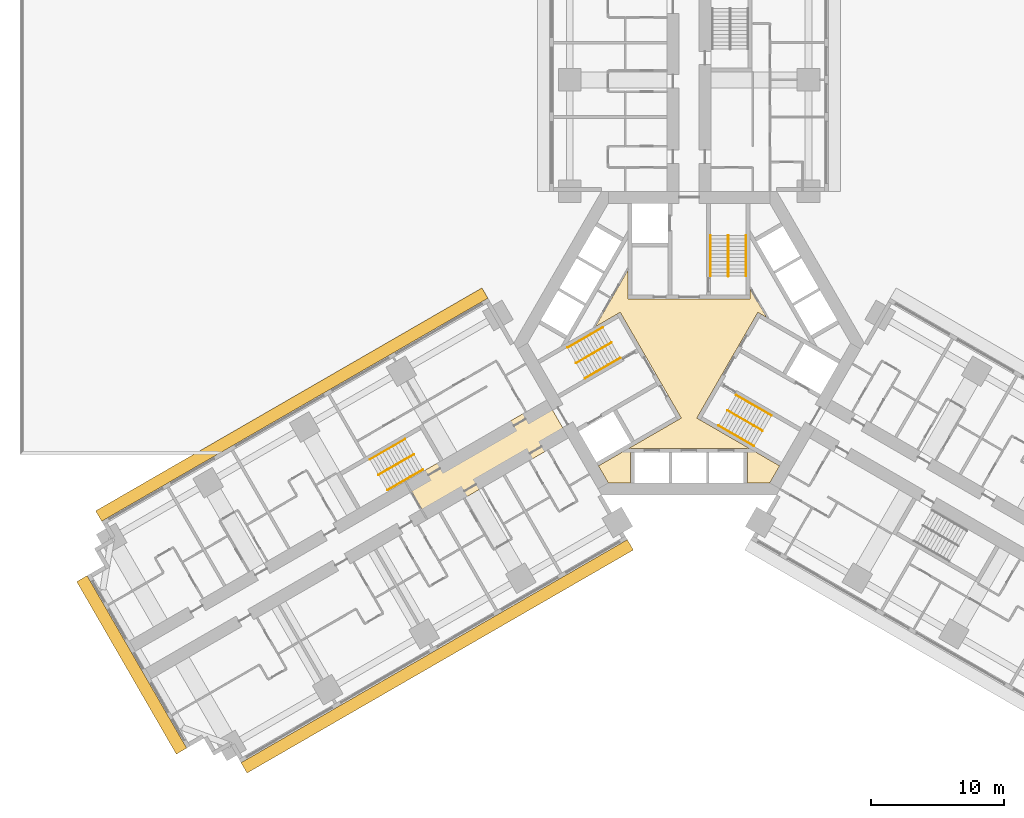
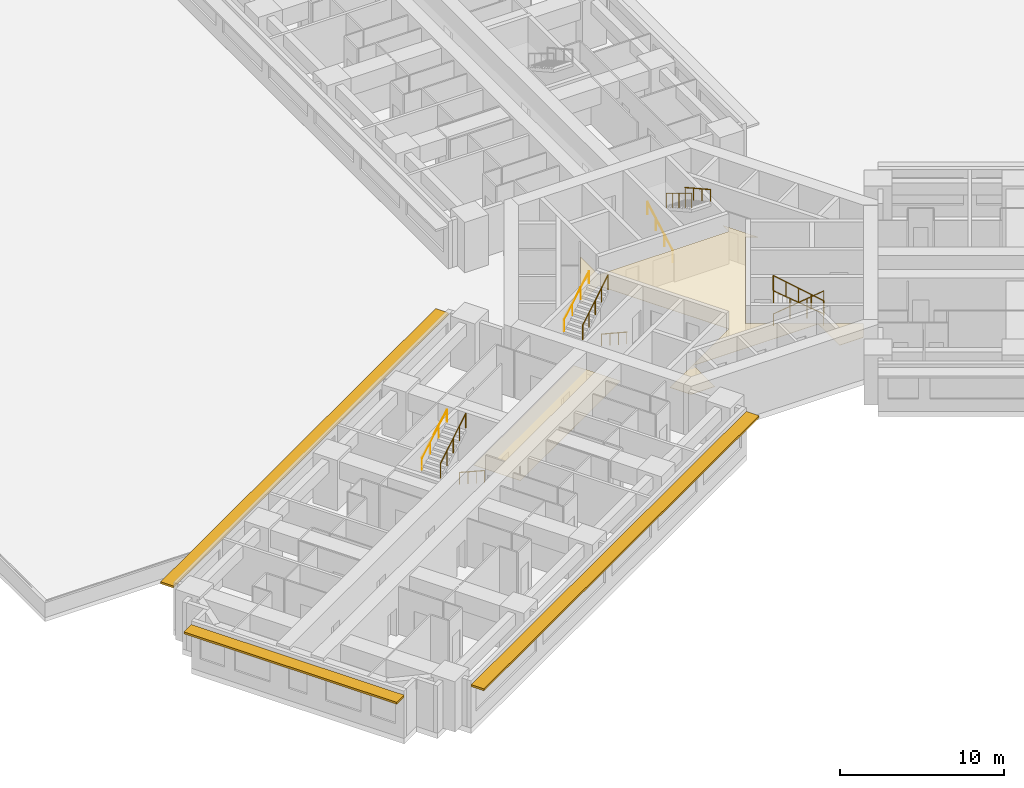
# One storey, part 16 of 18: 12 railings, 2 coverings, 1 shading device.
"""IFC4 building model written with IfcOpenShell, lengths in metres."""

from ifc_helpers import new_model, si_unit, direction, frame, origin, origin_2d, place, context, subcontext, project, spatial, polyline, rectangle, circle, outline, extrude, material, layer, layer_set, type_object, element, save


model = new_model("IFC4")

# Units and contexts
model_context = context("Model", 3, precision=1e-05, world=origin(), true_north=direction((0.0, 1.0)))
body_context = subcontext(model_context, "Body", "Model", "MODEL_VIEW")
ifc_project = project(units=[si_unit("LENGTHUNIT", "METRE"), si_unit("AREAUNIT", "SQUARE_METRE"), si_unit("VOLUMEUNIT", "CUBIC_METRE"), si_unit("PLANEANGLEUNIT", "RADIAN"), si_unit("MASSUNIT", "GRAM", prefix="KILO")], contexts=[model_context])

# Site, building, storey
site_placement = place(None, origin())
site = spatial("IfcSite", under=ifc_project, at=site_placement, CompositionType="ELEMENT")
building_placement = place(site_placement, origin())
building = spatial("IfcBuilding", under=site, at=building_placement, Name="Impinga Residences", CompositionType="ELEMENT")
storey_placement = place(building_placement, frame((0.0, 0.0, 26.0)))
storey = spatial("IfcBuildingStorey", under=building, at=storey_placement, Name="L05", CompositionType="ELEMENT", Elevation=26.0)

# Coverings
ifc_material_1 = material(Name="Plasterboard 15 mm on steel hangers", Category="steel")
ifc_layer_1 = layer(ifc_material_1, 0.014892578125)
ifc_layer_set_1 = layer_set([ifc_layer_1], Name="Plasterboard 15 mm on steel hangers")
covering_type_1 = type_object("IfcCoveringType", Name="CL1 corridor ceiling, 15 mm plasterboard on hangers", PredefinedType="CEILING", material=ifc_layer_set_1)
covering_1_placement = place(storey_placement, frame((0.0, 0.0, 2.39990234375)))
element("IfcCovering", 1, at=covering_1_placement, inside=storey, type_object=covering_type_1, Name="Corridor ceiling CL1 L05-W00", PredefinedType="CEILING", context=body_context, shape_type="SweptSolid", body=[
    extrude(outline(polyline([(-10.72509765625, -4.286865234375), (-9.074951171875, -7.144775390625), (-19.684326171875, -13.27001953125), (-21.334228515625, -10.412109375), (-10.72509765625, -4.286865234375)])), origin(), (0.0, 0.0, 1.0), 0.01513671875),
])
ifc_material_2 = material(Name="Mineral fibre tiles 20 mm on exposed grid", Category="mineral fibre")
ifc_layer_2 = layer(ifc_material_2, 0.02001953125)
ifc_layer_set_2 = layer_set([ifc_layer_2], Name="CL2 lift lobby ceiling, 20 mm mineral fibre tiles")
covering_type_2 = type_object("IfcCoveringType", Name="CL2 lift lobby ceiling, 20 mm mineral fibre tiles", PredefinedType="CEILING", material=ifc_layer_set_2)
covering_2_placement = place(storey_placement, frame((0.0, 0.0, 2.39990234375)))
element("IfcCovering", 2, at=covering_2_placement, inside=storey, type_object=covering_type_2, Name="Lift lobby ceiling CL2 L05-C01", PredefinedType="CEILING", context=body_context, shape_type="SweptSolid", body=[
    extrude(outline(polyline([(6.080322265625, -10.531494140625), (4.39990234375, -10.531494140625), (4.39990234375, -7.931640625), (-4.39990234375, -7.931640625), (-4.39990234375, -10.531494140625), (-6.080322265625, -10.531494140625), (-6.820556640625, -9.24951171875), (-0.583984375, -5.648681640625), (-5.183837890625, 2.318603515625), (-7.059326171875, 1.23583984375), (-4.60009765625, 5.49560546875), (-4.60009765625, 3.330078125), (4.60009765625, 3.330078125), (4.60009765625, 4.095703125), (5.846923828125, 1.935791015625), (5.183837890625, 2.318603515625), (0.583984375, -5.648681640625), (6.820556640625, -9.24951171875), (6.080322265625, -10.531494140625)])), origin(), (0.0, 0.0, 1.0), 0.02001953125),
])

# Railings
ifc_material_3 = material(Name="Steel guard, powder coated", Category="steel")
railing_type_1 = type_object("IfcRailingType", Name="GR1 stair guard 1100", PredefinedType="GUARDRAIL", material=ifc_material_3)
railing_1_placement = place(storey_placement, frame((2.949951171875, 8.110107421875, 1.875)))
element("IfcRailing", 3, at=railing_1_placement, inside=storey, type_object=railing_type_1, Name="Stair guard GR1 ST1 L05", PredefinedType="GUARDRAIL", context=body_context, shape_type="SweptSolid", body=[
    extrude(circle(Radius=0.02392578125, at=origin_2d()), frame((0.0, 0.0, 1.076171875), z_axis=(0.0, -0.854177636135, 0.519981313056), x_axis=(1.0, 0.0, 0.0)), (0.0, 0.0, 1.0), 3.60595703125),
    extrude(circle(Radius=0.02099609375, at=origin_2d()), origin(), (0.0, 0.0, 1.0), 1.052001953125),
    extrude(circle(Radius=0.02099609375, at=origin_2d()), frame((0.0, -0.77001953125, 0.46875)), (0.0, 0.0, 1.0), 1.052001953125),
    extrude(circle(Radius=0.02099609375, at=origin_2d()), frame((0.0, -1.5400390625, 0.9375)), (0.0, 0.0, 1.0), 1.052001953125),
    extrude(circle(Radius=0.02099609375, at=origin_2d()), frame((0.0, -2.31005859375, 1.40625)), (0.0, 0.0, 1.0), 1.052001953125),
    extrude(circle(Radius=0.02099609375, at=origin_2d()), frame((0.0, -3.080078125, 1.875)), (0.0, 0.0, 1.0), 1.052001953125),
])
railing_2_placement = place(storey_placement, frame((-8.49853515625, -1.500244140625, 1.875)))
element("IfcRailing", 4, at=railing_2_placement, inside=storey, type_object=railing_type_1, Name="Stair guard GR1 ST2 L05", PredefinedType="GUARDRAIL", context=body_context, shape_type="SweptSolid", body=[
    extrude(circle(Radius=0.02392578125, at=origin_2d()), frame((0.0, 0.0, 1.076171875), z_axis=(0.739746383972, 0.427084037168, 0.519975492303), x_axis=(-0.499992328818, 0.866029832698, 0.0)), (0.0, 0.0, 1.0), 3.60595703125),
    extrude(circle(Radius=0.02099609375, at=origin_2d()), origin(), (0.0, 0.0, 1.0), 1.052001953125),
    extrude(circle(Radius=0.02099609375, at=origin_2d()), frame((0.6669921875, 0.385009765625, 0.46875)), (0.0, 0.0, 1.0), 1.052001953125),
    extrude(circle(Radius=0.02099609375, at=origin_2d()), frame((1.333740234375, 0.77001953125, 0.9375)), (0.0, 0.0, 1.0), 1.052001953125),
    extrude(circle(Radius=0.02099609375, at=origin_2d()), frame((2.00048828125, 1.155029296875, 1.40625)), (0.0, 0.0, 1.0), 1.052001953125),
    extrude(circle(Radius=0.02099609375, at=origin_2d()), frame((2.66748046875, 1.5400390625, 1.875)), (0.0, 0.0, 1.0), 1.052001953125),
])
railing_3_placement = place(storey_placement, frame((5.548583984375, -6.60986328125, 1.875)))
element("IfcRailing", 5, at=railing_3_placement, inside=storey, type_object=railing_type_1, Name="Stair guard GR1 ST3 L05", PredefinedType="GUARDRAIL", context=body_context, shape_type="SweptSolid", body=[
    extrude(circle(Radius=0.02392578125, at=origin_2d()), frame((0.0, 0.0, 1.076171875), z_axis=(-0.739746383972, 0.427084037168, 0.519975492303), x_axis=(-0.499992328818, -0.866029832698, 0.0)), (0.0, 0.0, 1.0), 3.60595703125),
    extrude(circle(Radius=0.02099609375, at=origin_2d()), origin(), (0.0, 0.0, 1.0), 1.052001953125),
    extrude(circle(Radius=0.02099609375, at=origin_2d()), frame((-0.6669921875, 0.385009765625, 0.46875)), (0.0, 0.0, 1.0), 1.052001953125),
    extrude(circle(Radius=0.02099609375, at=origin_2d()), frame((-1.333740234375, 0.77001953125, 0.9375)), (0.0, 0.0, 1.0), 1.052001953125),
    extrude(circle(Radius=0.02099609375, at=origin_2d()), frame((-2.00048828125, 1.155029296875, 1.40625)), (0.0, 0.0, 1.0), 1.052001953125),
    extrude(circle(Radius=0.02099609375, at=origin_2d()), frame((-2.66748046875, 1.5400390625, 1.875)), (0.0, 0.0, 1.0), 1.052001953125),
])
railing_4_placement = place(storey_placement, frame((-23.3837890625, -9.921142578125, 1.875)))
element("IfcRailing", 6, at=railing_4_placement, inside=storey, type_object=railing_type_1, Name="Stair guard GR1 WS2 L05", PredefinedType="GUARDRAIL", context=body_context, shape_type="SweptSolid", body=[
    extrude(circle(Radius=0.02392578125, at=origin_2d()), frame((0.0, 0.0, 1.076171875), z_axis=(0.739715726454, 0.427105428144, 0.52000153585), x_axis=(-0.500026652407, 0.866010015463, 0.0)), (0.0, 0.0, 1.0), 3.605712890625),
    extrude(circle(Radius=0.02099609375, at=origin_2d()), origin(), (0.0, 0.0, 1.0), 1.052001953125),
    extrude(circle(Radius=0.02099609375, at=origin_2d()), frame((0.666748046875, 0.385009765625, 0.46875)), (0.0, 0.0, 1.0), 1.052001953125),
    extrude(circle(Radius=0.02099609375, at=origin_2d()), frame((1.33349609375, 0.77001953125, 0.9375)), (0.0, 0.0, 1.0), 1.052001953125),
    extrude(circle(Radius=0.02099609375, at=origin_2d()), frame((2.00048828125, 1.155029296875, 1.40625)), (0.0, 0.0, 1.0), 1.052001953125),
    extrude(circle(Radius=0.02099609375, at=origin_2d()), frame((2.667236328125, 1.5400390625, 1.875)), (0.0, 0.0, 1.0), 1.052001953125),
])
ifc_material_4 = material(Name="Steel handrail tube 42 mm, powder coated", Category="steel")
railing_type_2 = type_object("IfcRailingType", Name="HR1 stair handrail, 42 mm steel tube, 900 above the pitch line", PredefinedType="HANDRAIL", material=ifc_material_4)
railing_5_placement = place(storey_placement, frame((1.62109375, 5.030029296875, 0.15625)))
element("IfcRailing", 7, at=railing_5_placement, inside=storey, type_object=railing_type_2, Name="Stair handrail HR1 ST1 L05", PredefinedType="HANDRAIL", context=body_context, shape_type="SweptSolid", body=[
    extrude(circle(Radius=0.02099609375, at=origin_2d()), frame((0.0, 0.0, 0.87890625), z_axis=(0.0, 0.873241540666, 0.487287606713), x_axis=(-1.0, 0.0, 0.0)), (0.0, 0.0, 1.0), 3.527099609375),
    extrude(circle(Radius=0.012451171875, at=origin_2d()), origin(), (0.0, 0.0, 1.0), 0.85791015625),
    extrude(circle(Radius=0.012451171875, at=origin_2d()), frame((0.0, 1.026611328125, 0.572998046875)), (0.0, 0.0, 1.0), 0.85791015625),
    extrude(circle(Radius=0.012451171875, at=origin_2d()), frame((0.0, 2.053466796875, 1.145751953125)), (0.0, 0.0, 1.0), 0.85791015625),
    extrude(circle(Radius=0.012451171875, at=origin_2d()), frame((0.0, 3.080078125, 1.71875)), (0.0, 0.0, 1.0), 0.85791015625),
])
railing_6_placement = place(storey_placement, frame((4.279052734375, 8.110107421875, 2.03125)))
element("IfcRailing", 8, at=railing_6_placement, inside=storey, type_object=railing_type_2, Name="Stair handrail HR1 ST1 L05", PredefinedType="HANDRAIL", context=body_context, shape_type="SweptSolid", body=[
    extrude(circle(Radius=0.02099609375, at=origin_2d()), frame((0.0, 0.0, 0.87890625), z_axis=(0.0, -0.873241540666, 0.487287606713), x_axis=(1.0, 0.0, 0.0)), (0.0, 0.0, 1.0), 3.527099609375),
    extrude(circle(Radius=0.012451171875, at=origin_2d()), origin(), (0.0, 0.0, 1.0), 0.85791015625),
    extrude(circle(Radius=0.012451171875, at=origin_2d()), frame((0.0, -1.026611328125, 0.572998046875)), (0.0, 0.0, 1.0), 0.85791015625),
    extrude(circle(Radius=0.012451171875, at=origin_2d()), frame((0.0, -2.053466796875, 1.145751953125)), (0.0, 0.0, 1.0), 0.85791015625),
    extrude(circle(Radius=0.012451171875, at=origin_2d()), frame((0.0, -3.080078125, 1.71875)), (0.0, 0.0, 1.0), 0.85791015625),
])
railing_7_placement = place(storey_placement, frame((-5.16650390625, -1.111083984375, 0.15625)))
element("IfcRailing", 9, at=railing_7_placement, inside=storey, type_object=railing_type_2, Name="Stair handrail HR1 ST2 L05", PredefinedType="HANDRAIL", context=body_context, shape_type="SweptSolid", body=[
    extrude(circle(Radius=0.02099609375, at=origin_2d()), frame((0.0, 0.0, 0.87890625), z_axis=(-0.756255980417, -0.436615662133, 0.487281905742), x_axis=(0.499992328818, -0.866029832698, 0.0)), (0.0, 0.0, 1.0), 3.527099609375),
    extrude(circle(Radius=0.012451171875, at=origin_2d()), origin(), (0.0, 0.0, 1.0), 0.85791015625),
    extrude(circle(Radius=0.012451171875, at=origin_2d()), frame((-0.88916015625, -0.513427734375, 0.572998046875)), (0.0, 0.0, 1.0), 0.85791015625),
    extrude(circle(Radius=0.012451171875, at=origin_2d()), frame((-1.7783203125, -1.026611328125, 1.145751953125)), (0.0, 0.0, 1.0), 0.85791015625),
    extrude(circle(Radius=0.012451171875, at=origin_2d()), frame((-2.66748046875, -1.5400390625, 1.71875)), (0.0, 0.0, 1.0), 0.85791015625),
])
railing_8_placement = place(storey_placement, frame((-9.1630859375, -0.349365234375, 2.03125)))
element("IfcRailing", 10, at=railing_8_placement, inside=storey, type_object=railing_type_2, Name="Stair handrail HR1 ST2 L05", PredefinedType="HANDRAIL", context=body_context, shape_type="SweptSolid", body=[
    extrude(circle(Radius=0.02099609375, at=origin_2d()), frame((0.0, 0.0, 0.87890625), z_axis=(0.756255980417, 0.436615662133, 0.487281905742), x_axis=(-0.499992328818, 0.866029832698, 0.0)), (0.0, 0.0, 1.0), 3.527099609375),
    extrude(circle(Radius=0.012451171875, at=origin_2d()), origin(), (0.0, 0.0, 1.0), 0.85791015625),
    extrude(circle(Radius=0.012451171875, at=origin_2d()), frame((0.88916015625, 0.513427734375, 0.572998046875)), (0.0, 0.0, 1.0), 0.85791015625),
    extrude(circle(Radius=0.012451171875, at=origin_2d()), frame((1.7783203125, 1.026611328125, 1.145751953125)), (0.0, 0.0, 1.0), 0.85791015625),
    extrude(circle(Radius=0.012451171875, at=origin_2d()), frame((2.66748046875, 1.5400390625, 1.71875)), (0.0, 0.0, 1.0), 0.85791015625),
])
railing_9_placement = place(storey_placement, frame((3.545654296875, -3.9189453125, 0.15625)))
element("IfcRailing", 11, at=railing_9_placement, inside=storey, type_object=railing_type_2, Name="Stair handrail HR1 ST3 L05", PredefinedType="HANDRAIL", context=body_context, shape_type="SweptSolid", body=[
    extrude(circle(Radius=0.02099609375, at=origin_2d()), frame((0.0, 0.0, 0.87890625), z_axis=(0.756249203677, -0.436582492228, 0.487322141317), x_axis=(0.499967199496, 0.866044340336, 0.0)), (0.0, 0.0, 1.0), 3.52685546875),
    extrude(circle(Radius=0.012451171875, at=origin_2d()), origin(), (0.0, 0.0, 1.0), 0.85791015625),
    extrude(circle(Radius=0.012451171875, at=origin_2d()), frame((0.88916015625, -0.51318359375, 0.572998046875)), (0.0, 0.0, 1.0), 0.85791015625),
    extrude(circle(Radius=0.012451171875, at=origin_2d()), frame((1.778076171875, -1.026611328125, 1.145751953125)), (0.0, 0.0, 1.0), 0.85791015625),
    extrude(circle(Radius=0.012451171875, at=origin_2d()), frame((2.667236328125, -1.539794921875, 1.71875)), (0.0, 0.0, 1.0), 0.85791015625),
])
railing_10_placement = place(storey_placement, frame((4.884033203125, -7.7607421875, 2.03125)))
element("IfcRailing", 12, at=railing_10_placement, inside=storey, type_object=railing_type_2, Name="Stair handrail HR1 ST3 L05", PredefinedType="HANDRAIL", context=body_context, shape_type="SweptSolid", body=[
    extrude(circle(Radius=0.02099609375, at=origin_2d()), frame((0.0, 0.0, 0.87890625), z_axis=(-0.756255980417, 0.436615662133, 0.487281905742), x_axis=(-0.499992328818, -0.866029832698, 0.0)), (0.0, 0.0, 1.0), 3.527099609375),
    extrude(circle(Radius=0.012451171875, at=origin_2d()), origin(), (0.0, 0.0, 1.0), 0.85791015625),
    extrude(circle(Radius=0.012451171875, at=origin_2d()), frame((-0.88916015625, 0.513427734375, 0.572998046875)), (0.0, 0.0, 1.0), 0.85791015625),
    extrude(circle(Radius=0.012451171875, at=origin_2d()), frame((-1.7783203125, 1.026611328125, 1.145751953125)), (0.0, 0.0, 1.0), 0.85791015625),
    extrude(circle(Radius=0.012451171875, at=origin_2d()), frame((-2.66748046875, 1.5400390625, 1.71875)), (0.0, 0.0, 1.0), 0.85791015625),
])
railing_11_placement = place(storey_placement, frame((-20.052001953125, -9.531982421875, 0.15625)))
element("IfcRailing", 13, at=railing_11_placement, inside=storey, type_object=railing_type_2, Name="Stair handrail HR1 WS2 L05", PredefinedType="HANDRAIL", context=body_context, shape_type="SweptSolid", body=[
    extrude(circle(Radius=0.02099609375, at=origin_2d()), frame((0.0, 0.0, 0.87890625), z_axis=(-0.756226348243, -0.436638517594, 0.487307413422), x_axis=(0.500026652407, -0.866010015463, 0.0)), (0.0, 0.0, 1.0), 3.527099609375),
    extrude(circle(Radius=0.012451171875, at=origin_2d()), origin(), (0.0, 0.0, 1.0), 0.85791015625),
    extrude(circle(Radius=0.012451171875, at=origin_2d()), frame((-0.88916015625, -0.513427734375, 0.572998046875)), (0.0, 0.0, 1.0), 0.85791015625),
    extrude(circle(Radius=0.012451171875, at=origin_2d()), frame((-1.778076171875, -1.026611328125, 1.145751953125)), (0.0, 0.0, 1.0), 0.85791015625),
    extrude(circle(Radius=0.012451171875, at=origin_2d()), frame((-2.667236328125, -1.5400390625, 1.71875)), (0.0, 0.0, 1.0), 0.85791015625),
])
railing_12_placement = place(storey_placement, frame((-24.04833984375, -8.77001953125, 2.03125)))
element("IfcRailing", 14, at=railing_12_placement, inside=storey, type_object=railing_type_2, Name="Stair handrail HR1 WS2 L05", PredefinedType="HANDRAIL", context=body_context, shape_type="SweptSolid", body=[
    extrude(circle(Radius=0.02099609375, at=origin_2d()), frame((0.0, 0.0, 0.87890625), z_axis=(0.756278834354, 0.436559638319, 0.487296631324), x_axis=(-0.499932877268, 0.866064153644, 0.0)), (0.0, 0.0, 1.0), 3.527099609375),
    extrude(circle(Radius=0.012451171875, at=origin_2d()), origin(), (0.0, 0.0, 1.0), 0.85791015625),
    extrude(circle(Radius=0.012451171875, at=origin_2d()), frame((0.88916015625, 0.51318359375, 0.572998046875)), (0.0, 0.0, 1.0), 0.85791015625),
    extrude(circle(Radius=0.012451171875, at=origin_2d()), frame((1.7783203125, 1.026611328125, 1.145751953125)), (0.0, 0.0, 1.0), 0.85791015625),
    extrude(circle(Radius=0.012451171875, at=origin_2d()), frame((2.66748046875, 1.539794921875, 1.71875)), (0.0, 0.0, 1.0), 0.85791015625),
])

# Shading device
ifc_material_5 = material(Name="Terracotta sunshade blades on aluminium brackets", Category="masonry")
ifc_layer_3 = layer(ifc_material_5, 0.14990234375)
ifc_layer_set_3 = layer_set([ifc_layer_3], Name="SS1 SUNSHADE terracotta sunshade band 900")
shading_device_type = type_object("IfcShadingDeviceType", Name="SS1 SUNSHADE terracotta sunshade band 900", PredefinedType="USERDEFINED", material=ifc_layer_set_3)
shading_device_placement = place(storey_placement, frame((-41.986328125, -24.24072265625, 3.10009765625), z_axis=(0.0, 0.0, 1.0), x_axis=(-0.5, 0.866025403784, 0.0)))
element("IfcShadingDevice", 15, at=shading_device_placement, inside=storey, type_object=shading_device_type, Name="SUNSHADE band L05 WEST WING", ObjectType="SUNSHADE", PredefinedType="USERDEFINED", context=body_context, shape_type="SweptSolid", body=[
    extrude(rectangle(XDim=15.0, YDim=0.89990234375, at=origin_2d()), origin(), (0.0, 0.0, 1.0), 0.14990234375),
    extrude(rectangle(XDim=33.60009765625, YDim=0.89990234375, at=origin_2d()), frame((10.949951171875, -20.25, 0.0), z_axis=(0.0, 0.0, 1.0), x_axis=(0.0, -1.0, 0.0)), (0.0, 0.0, 1.0), 0.14990234375),
    extrude(rectangle(XDim=33.60009765625, YDim=0.89990234375, at=origin_2d()), frame((-10.949951171875, -20.250244140625, 0.0), z_axis=(0.0, 0.0, 1.0), x_axis=(0.0, 1.0, 0.0)), (0.0, 0.0, 1.0), 0.14990234375),
])

save(model, "model.ifc")
